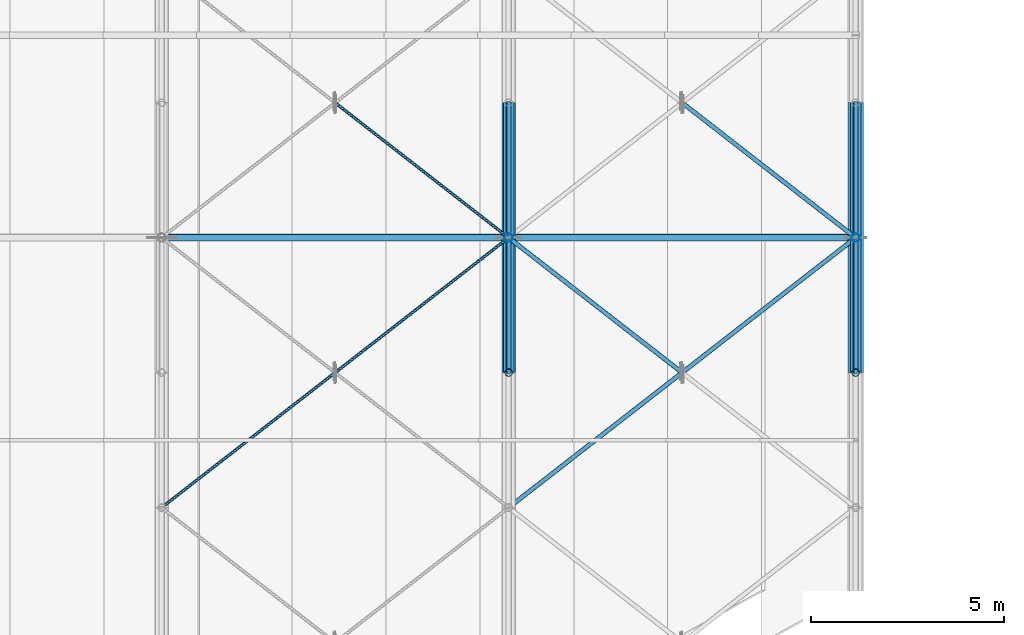
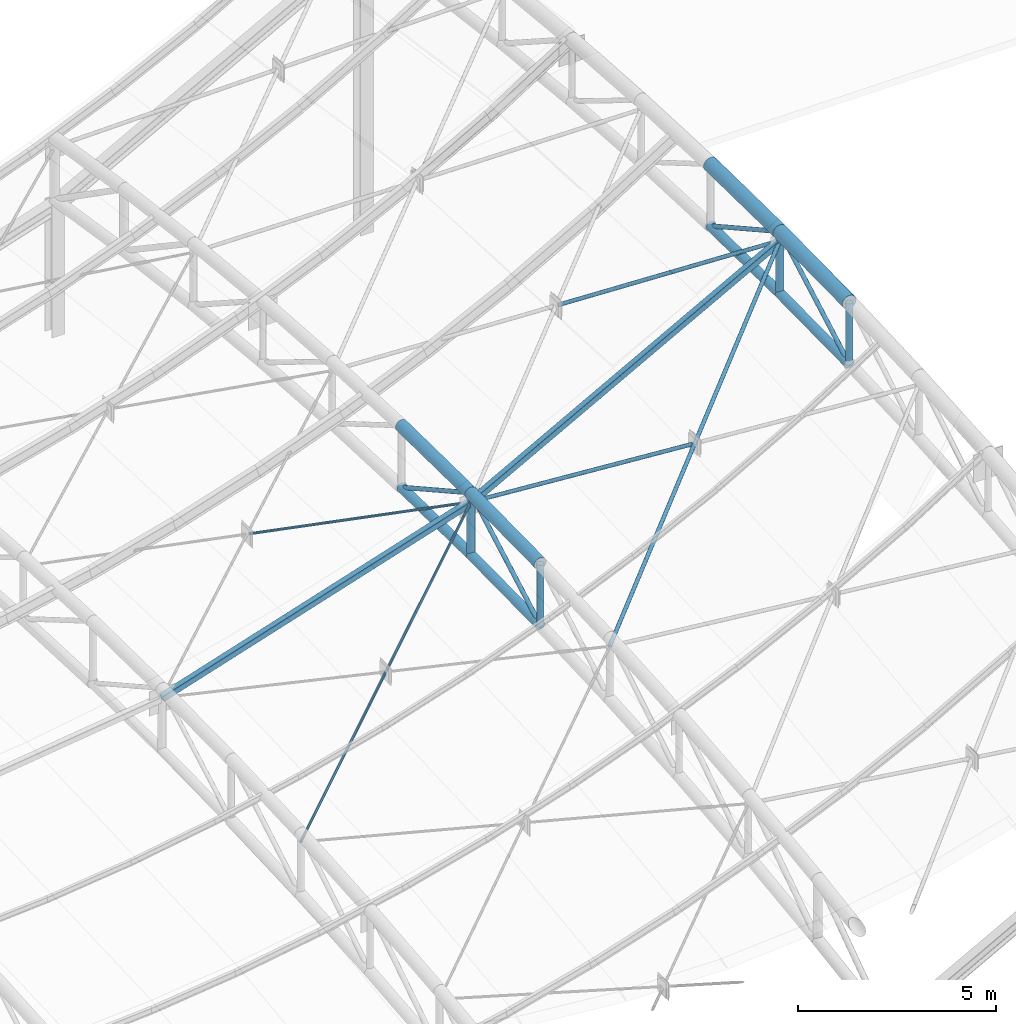
# One storey, part 35 of 262: 23 members.
"""IFC4 building model written with IfcOpenShell, lengths in metres."""

import ifcopenshell
import ifcopenshell.guid

model = None  # the IFC model being written
_history = None  # IfcOwnerHistory: only IFC2X3 demands one
_inside = {}  # id of a spatial element -> (the spatial element, [elements in it])
_under = {}  # id of a project, library or spatial element -> (it, [spatial elements below it])
_declared = {}  # id of a project -> (the project, [libraries it declares])
_typed = {}  # id of a type object -> (the type object, [elements of that type])
_made_of = {}  # id of a material, layer set ... -> (it, [elements and type objects made of it])


def new_model(schema):
    """Start an empty IFC model of exactly this schema.

    Asked for "IFC4X3", IfcOpenShell would pick the latest addendum, in which some entities
    have other attributes; the version numbers below select the first issue.
    IFC2X3 requires an IfcOwnerHistory on every rooted entity: one is made here for all.
    """
    global model, _history
    if schema == "IFC4X3":
        model = ifcopenshell.file(schema_version=(4, 3, 0, 0))
    else:
        model = ifcopenshell.file(schema=schema)
    _inside.clear()
    _under.clear()
    _declared.clear()
    _typed.clear()
    _made_of.clear()
    _history = None
    if model.schema == "IFC2X3":
        org = make("IfcOrganization", Name="unknown")
        user = make(
            "IfcPersonAndOrganization",
            ThePerson=make("IfcPerson", FamilyName="unknown"),
            TheOrganization=org,
        )
        app = make(
            "IfcApplication",
            ApplicationDeveloper=org,
            Version="unknown",
            ApplicationFullName="unknown",
            ApplicationIdentifier="unknown",
        )
        _history = make(
            "IfcOwnerHistory",
            OwningUser=user,
            OwningApplication=app,
            ChangeAction="ADDED",
            CreationDate=0,
        )
    return model


def make(cls, **values):
    """One entity of the class cls with the attributes given. An attribute that is None is left unset."""
    return model.create_entity(
        cls, **{name: value for name, value in values.items() if value is not None}
    )


def rooted(cls, **values):
    """An entity with a GlobalId (a new one), such as an element, a storey or a relation."""
    return make(cls, GlobalId=ifcopenshell.guid.new(), OwnerHistory=_history, **values)


def si_unit(unit_type, name, prefix=None):
    """IfcSIUnit, for example si_unit("LENGTHUNIT", "METRE", prefix="MILLI")."""
    return make("IfcSIUnit", UnitType=unit_type, Prefix=prefix, Name=name)


def derived_unit(unit_type, elements):
    """IfcDerivedUnit: a product of units, each with its exponent."""
    return make(
        "IfcDerivedUnit",
        Elements=[
            make("IfcDerivedUnitElement", Unit=unit, Exponent=power)
            for unit, power in elements
        ],
        UnitType=unit_type,
    )


def assignment(units):
    """IfcUnitAssignment: the units of a project."""
    return None if units is None else make("IfcUnitAssignment", Units=units)


def point(xyz):
    """IfcCartesianPoint."""
    return None if xyz is None else make("IfcCartesianPoint", Coordinates=xyz)


def direction(xyz):
    """IfcDirection."""
    return None if xyz is None else make("IfcDirection", DirectionRatios=xyz)


def frame(location, z_axis=None, x_axis=None):
    """IfcAxis2Placement3D, a coordinate frame: its origin and axes. An axis left out is left unset."""
    return make(
        "IfcAxis2Placement3D",
        Location=point(location),
        Axis=direction(z_axis),
        RefDirection=direction(x_axis),
    )


def frame_2d(location, x_axis=None):
    """IfcAxis2Placement2D, a coordinate frame in the plane: its origin and x axis."""
    return make(
        "IfcAxis2Placement2D", Location=point(location), RefDirection=direction(x_axis)
    )


def origin():
    """The frame at (0, 0, 0) with its axes left unset."""
    return frame((0.0, 0.0, 0.0))


def origin_2d():
    """The frame at (0, 0) in the plane with its x axis left unset."""
    return frame_2d((0.0, 0.0))


def place(relative_to, where):
    """IfcLocalPlacement: puts the frame where relative to a parent placement (None: the world)."""
    return make(
        "IfcLocalPlacement", PlacementRelTo=relative_to, RelativePlacement=where
    )


def context(
    kind, dimensions, precision=None, world=None, true_north=None, identifier=None
):
    """IfcGeometricRepresentationContext, for example the 3D "Model" context."""
    return make(
        "IfcGeometricRepresentationContext",
        ContextIdentifier=identifier,
        ContextType=kind,
        CoordinateSpaceDimension=dimensions,
        Precision=precision,
        WorldCoordinateSystem=world,
        TrueNorth=true_north,
    )


def subcontext(parent, identifier, kind, view, scale=None):
    """IfcGeometricRepresentationSubContext, for example "Body" below "Model"."""
    return make(
        "IfcGeometricRepresentationSubContext",
        ContextIdentifier=identifier,
        ContextType=kind,
        ParentContext=parent,
        TargetScale=scale,
        TargetView=view,
    )


def project(units=None, contexts=None):
    """IfcProject with its units and contexts."""
    return rooted(
        "IfcProject",
        Name="project",
        RepresentationContexts=contexts,
        UnitsInContext=assignment(units),
    )


def spatial(cls, under=None, at=None, **own):
    """A site, building, storey or space (cls), placed at a placement, below another one or the project."""
    s = rooted(cls, ObjectPlacement=at, **own)
    if under is not None:
        _under.setdefault(under.id(), (under, []))[1].append(s)
    return s


def profile(cls, at=None, kind="AREA", **sizes):
    """A parametric profile (cls). Its sizes go by their IFC names, for example OverallWidth=200.0."""
    return make(cls, ProfileType=kind, Position=at, **sizes)


def hollow_rectangle(**sizes):
    """IfcRectangleHollowProfileDef."""
    return profile("IfcRectangleHollowProfileDef", **sizes)


def hollow_circle(**sizes):
    """IfcCircleHollowProfileDef."""
    return profile("IfcCircleHollowProfileDef", **sizes)


def extrude(swept, where, along, depth):
    """IfcExtrudedAreaSolid: the profile swept, set in the frame where, extruded along a direction by depth."""
    return make(
        "IfcExtrudedAreaSolid",
        SweptArea=swept,
        Position=where,
        ExtrudedDirection=direction(along),
        Depth=depth,
    )


def shape(context_of_items, identifier, shape_type, items):
    """IfcShapeRepresentation: the items that make up one representation, for example the "Body"."""
    return make(
        "IfcShapeRepresentation",
        ContextOfItems=context_of_items,
        RepresentationIdentifier=identifier,
        RepresentationType=shape_type,
        Items=items,
    )


def material(Name=None, Category=None):
    """IfcMaterial."""
    return make("IfcMaterial", Name=Name, Category=Category)


def material_profile(
    of_material, cross_section, Name=None, Category=None, Priority=None
):
    """IfcMaterialProfile: a cross section and its material."""
    return make(
        "IfcMaterialProfile",
        Name=Name,
        Material=of_material,
        Profile=cross_section,
        Priority=Priority,
        Category=Category,
    )


def profile_set(profiles, Name=None, composite=None):
    """IfcMaterialProfileSet."""
    return make(
        "IfcMaterialProfileSet",
        Name=Name,
        MaterialProfiles=profiles,
        CompositeProfile=composite,
    )


def made_of(thing, what):
    """Note that an element or type object is made of a material, layer set ...; save() writes the relation."""
    if what is not None:
        _made_of.setdefault(what.id(), (what, []))[1].append(thing)
    return thing


def type_object(cls, material=None, **own):
    """A type object (cls), such as IfcWallType, which elements share."""
    return made_of(rooted(cls, **own), material)


def element(
    cls,
    number,
    at=None,
    inside=None,
    cuts=None,
    type_object=None,
    material=None,
    context=None,
    identifier="Body",
    shape_type=None,
    held_by="IfcProductDefinitionShape",
    body=None,
    shapes=None,
    **own,
):
    """One element of the class cls, such as IfcWall. Its Tag is "e" and its number.

    at: its placement. inside: the storey or other place that contains it. cuts: it is an
    opening in that element (IfcRelVoidsElement). A single representation is given by context,
    identifier, shape_type and body (its items); several are given by shapes. held_by: the class
    of the entity that holds the representations. save() writes the other relations.
    """
    e = rooted(cls, Tag="e%d" % number, ObjectPlacement=at, **own)
    if body is not None:
        shapes = [shape(context, identifier, shape_type, body)]
    if shapes is not None:
        e.Representation = make(held_by, Representations=shapes)
    if inside is not None:
        _inside.setdefault(inside.id(), (inside, []))[1].append(e)
    if cuts is not None:
        rooted(
            "IfcRelVoidsElement", RelatingBuildingElement=cuts, RelatedOpeningElement=e
        )
    if type_object is not None:
        _typed.setdefault(type_object.id(), (type_object, []))[1].append(e)
    return made_of(e, material)


def aggregate(whole, parts):
    """IfcRelAggregates: a whole, such as a stair, and the parts it consists of."""
    return rooted("IfcRelAggregates", RelatingObject=whole, RelatedObjects=parts)


def save(model, path):
    """Write the relations noted so far, then the file.

    IfcRelAggregates (storeys below a building ...), IfcRelContainedInSpatialStructure (elements
    in a storey), IfcRelDefinesByType, IfcRelAssociatesMaterial and IfcRelDeclares: one each for
    every whole, place, type object, material and project.
    """
    for whole, parts in _under.values():
        aggregate(whole, parts)
    for where, things in _inside.values():
        rooted(
            "IfcRelContainedInSpatialStructure",
            RelatedElements=things,
            RelatingStructure=where,
        )
    for kind, things in _typed.values():
        rooted("IfcRelDefinesByType", RelatedObjects=things, RelatingType=kind)
    for what, things in _made_of.values():
        rooted("IfcRelAssociatesMaterial", RelatedObjects=things, RelatingMaterial=what)
    for by, libraries in _declared.values():
        rooted("IfcRelDeclares", RelatingContext=by, RelatedDefinitions=libraries)
    model.write(path)


model = new_model("IFC4")

# Units and contexts
model_context = context("Model", 3, precision=1e-05, world=origin(), true_north=direction((0.0, 1.0)))
body_context = subcontext(model_context, "Body", "Model", "MODEL_VIEW")
ifc_project = project(units=[si_unit("LENGTHUNIT", "METRE"), si_unit("AREAUNIT", "SQUARE_METRE"), si_unit("VOLUMEUNIT", "CUBIC_METRE"), si_unit("PLANEANGLEUNIT", "RADIAN"), si_unit("MASSUNIT", "GRAM", prefix="KILO"), derived_unit("THERMALTRANSMITTANCEUNIT", [(si_unit("POWERUNIT", "WATT"), 1), (si_unit("LENGTHUNIT", "METRE"), -2), (si_unit("THERMODYNAMICTEMPERATUREUNIT", "KELVIN"), -1)])], contexts=[model_context])

# Site, building, storey
site_placement = place(None, origin())
site = spatial("IfcSite", under=ifc_project, at=site_placement, CompositionType="ELEMENT")
building_placement = place(site_placement, origin())
building = spatial("IfcBuilding", under=site, at=building_placement, Name="Almenara Railside Exhibition Hall", CompositionType="ELEMENT")
storey_placement = place(building_placement, frame((0.0, 0.0, 21.699951171875)))
storey = spatial("IfcBuildingStorey", under=building, at=storey_placement, Name="RF", CompositionType="ELEMENT", Elevation=21.699951171875)

# Members
ifc_material = material(Name="Structural steel S355JR", Category="steel")
ifc_material_profile_1 = material_profile(ifc_material, hollow_circle(Radius=0.0380859375, WallThickness=0.003662109375, at=origin_2d()), Name="CHS 76.1x3.6")
ifc_profile_set_1 = profile_set([ifc_material_profile_1], Name="Structural steel S355JR")
member_type_1 = type_object("IfcMemberType", Name="Lantern Cross-Tie Brace CHS 76.1x3.6 S355JR", PredefinedType="BRACE", material=ifc_profile_set_1)
member_1_placement = place(storey_placement, frame((48.0, 14.0, -5.550537109375), z_axis=(0.762180219972, 0.592806837756, 0.260117983601), x_axis=(-0.613940613515, 0.789352217376, 0.0)))
element("IfcMember", 1, at=member_1_placement, inside=storey, type_object=member_type_1, Name="MEM-WB-V4-WB-CHS76-05-04-C", PredefinedType="BRACE", context=body_context, shape_type="SweptSolid", body=[
    extrude(hollow_circle(Radius=0.0380859375, WallThickness=0.003662109375, at=origin_2d()), origin(), (0.0, 0.0, 1.0), 11.808349609375),
])
member_2_placement = place(storey_placement, frame((52.531982421875, 24.47509765625, -4.00390625), z_axis=(0.762180594374, -0.59280250152, 0.260126768617), x_axis=(0.613937627465, 0.789354539851, 0.0)))
element("IfcMember", 2, at=member_2_placement, inside=storey, type_object=member_type_1, Name="MEM-WB-V4-WB-CHS76-05-06-S2", PredefinedType="BRACE", context=body_context, shape_type="SweptSolid", body=[
    extrude(hollow_circle(Radius=0.0380859375, WallThickness=0.003662109375, at=origin_2d()), origin(), (0.0, 0.0, 1.0), 5.862060546875),
])
ifc_material_profile_2 = material_profile(ifc_material, hollow_circle(Radius=0.136474609375, WallThickness=0.010009765625, at=origin_2d()), Name="CHS 273x10")
ifc_profile_set_2 = profile_set([ifc_material_profile_2], Name="Structural steel S355JR")
member_type_2 = type_object("IfcMemberType", Name="Plenary Crown Bottom Chord CHS 273x10 S355JR", PredefinedType="CHORD", material=ifc_profile_set_2)
for number, where, z_axis, x_axis, name in (
    (3, (57.0, 17.5, -4.149169921875), (0.0, 0.999897775465, 0.014298203402), (-1.0, 0.0, 0.0), "MEM-BC-V4-06-05"),
    (4, (57.0, 21.0, -4.09912109375), (0.0, 0.999897775465, -0.014298203402), (-1.0, 0.0, 0.0), "MEM-BC-V4-06-06"),
    (5, (66.0, 17.5, 0.75), (0.0, 0.999897775465, 0.014298203402), (-1.0, 0.0, 0.0), "MEM-BC-V4-07-05"),
    (6, (66.0, 21.0, 0.800048828125), (0.0, 0.999897775465, -0.014298203402), (-1.0, 0.0, 0.0), "MEM-BC-V4-07-06"),
):
    element("IfcMember", number, at=place(storey_placement, frame(where, z_axis=z_axis, x_axis=x_axis)), inside=storey, type_object=member_type_2, Name=name, PredefinedType="CHORD", context=body_context, shape_type="SweptSolid", body=[
        extrude(hollow_circle(Radius=0.136474609375, WallThickness=0.010009765625, at=origin_2d()), origin(), (0.0, 0.0, 1.0), 3.500244140625),
    ])
ifc_material_profile_3 = material_profile(ifc_material, hollow_rectangle(XDim=0.179931640625, YDim=0.179931640625, WallThickness=0.008056640625, InnerFilletRadius=0.008056640625, OuterFilletRadius=0.01611328125, at=origin_2d()), Name="SHS 180x180x8")
ifc_profile_set_3 = profile_set([ifc_material_profile_3], Name="Structural steel S355JR")
member_type_3 = type_object("IfcMemberType", Name="Plenary Eaves Strut SHS 180x180x8 S355JR", PredefinedType="BRACE", material=ifc_profile_set_3)
member_3_placement = place(storey_placement, frame((48.0, 21.0, -5.3505859375), z_axis=(0.952682460911, 0.0, 0.303967315138), x_axis=(0.0, 1.0, 0.0)))
element("IfcMember", 7, at=member_3_placement, inside=storey, type_object=member_type_3, Name="MEM-ES-V4-05", PredefinedType="BRACE", context=body_context, shape_type="SweptSolid", body=[
    extrude(hollow_rectangle(XDim=0.179931640625, YDim=0.179931640625, WallThickness=0.008056640625, InnerFilletRadius=0.008056640625, OuterFilletRadius=0.01611328125, at=origin_2d()), origin(), (0.0, 0.0, 1.0), 9.447021484375),
])
member_4_placement = place(storey_placement, frame((57.0, 21.0, -2.47900390625), z_axis=(0.878302261666, 0.0, 0.478105780296), x_axis=(0.0, 1.0, 0.0)))
element("IfcMember", 8, at=member_4_placement, inside=storey, type_object=member_type_3, Name="MEM-ES-V4-06", PredefinedType="BRACE", context=body_context, shape_type="SweptSolid", body=[
    extrude(hollow_rectangle(XDim=0.179931640625, YDim=0.179931640625, WallThickness=0.008056640625, InnerFilletRadius=0.008056640625, OuterFilletRadius=0.01611328125, at=origin_2d()), origin(), (0.0, 0.0, 1.0), 10.2470703125),
])
ifc_material_profile_4 = material_profile(ifc_material, hollow_circle(Radius=0.203125, WallThickness=0.012451171875, at=origin_2d()), Name="CHS 406.4x12.5")
ifc_profile_set_4 = profile_set([ifc_material_profile_4], Name="Structural steel S355JR")
member_type_4 = type_object("IfcMemberType", Name="Plenary Gable Top Chord CHS 406.4x12.5 S355JR", PredefinedType="CHORD", material=ifc_profile_set_4)
for number, where, z_axis, x_axis, name in (
    (9, (66.0, 17.5, 2.650146484375), (0.0, 0.999898770194, 0.014228470223), (-1.0, 0.0, 0.0), "MEM-TC-V4-07-05"),
    (10, (66.0, 21.0, 2.699951171875), (0.0, 0.999898770194, -0.014228470223), (-1.0, 0.0, 0.0), "MEM-TC-V4-07-06"),
):
    element("IfcMember", number, at=place(storey_placement, frame(where, z_axis=z_axis, x_axis=x_axis)), inside=storey, type_object=member_type_4, Name=name, PredefinedType="CHORD", context=body_context, shape_type="SweptSolid", body=[
        extrude(hollow_circle(Radius=0.203125, WallThickness=0.012451171875, at=origin_2d()), origin(), (0.0, 0.0, 1.0), 3.500244140625),
    ])
ifc_material_profile_5 = material_profile(ifc_material, hollow_circle(Radius=0.177734375, WallThickness=0.012451171875, at=origin_2d()), Name="CHS 355.6x12.5")
ifc_profile_set_5 = profile_set([ifc_material_profile_5], Name="Structural steel S355JR")
member_type_5 = type_object("IfcMemberType", Name="Plenary Truss Top Chord CHS 355.6x12.5 S355JR", PredefinedType="CHORD", material=ifc_profile_set_5)
for number, where, z_axis, x_axis, name in (
    (11, (57.0, 17.5, -2.2490234375), (0.0, 0.999897775465, 0.014298203402), (-1.0, 0.0, 0.0), "MEM-TC-V4-06-05"),
    (12, (57.0, 21.0, -2.198974609375), (0.0, 0.999897775465, -0.014298203402), (-1.0, 0.0, 0.0), "MEM-TC-V4-06-06"),
):
    element("IfcMember", number, at=place(storey_placement, frame(where, z_axis=z_axis, x_axis=x_axis)), inside=storey, type_object=member_type_5, Name=name, PredefinedType="CHORD", context=body_context, shape_type="SweptSolid", body=[
        extrude(hollow_circle(Radius=0.177734375, WallThickness=0.012451171875, at=origin_2d()), origin(), (0.0, 0.0, 1.0), 3.500244140625),
    ])
ifc_material_profile_6 = material_profile(ifc_material, hollow_circle(Radius=0.05712890625, WallThickness=0.00439453125, at=origin_2d()), Name="CHS 114.3x4.5")
ifc_profile_set_6 = profile_set([ifc_material_profile_6], Name="Structural steel S355JR")
member_type_6 = type_object("IfcMemberType", Name="Roof Wind Plan X-Brace CHS 114.3x4.5 S355JR", PredefinedType="BRACE", material=ifc_profile_set_6)
member_5_placement = place(storey_placement, frame((57.0, 14.0, -2.678955078125), z_axis=(0.720574299615, 0.560446677479, 0.408255067865), x_axis=(-0.613940613515, 0.789352217376, 0.0)))
element("IfcMember", 13, at=member_5_placement, inside=storey, type_object=member_type_6, Name="MEM-WB-V4-WB-CHS114-06-04-C", PredefinedType="BRACE", context=body_context, shape_type="SweptSolid", body=[
    extrude(hollow_circle(Radius=0.05712890625, WallThickness=0.00439453125, at=origin_2d()), origin(), (0.0, 0.0, 1.0), 12.489990234375),
])
member_6_placement = place(storey_placement, frame((57.0, 21.0, -2.47900390625), z_axis=(0.729797465347, -0.56763358119, 0.381035138902), x_axis=(0.613949597032, 0.789345230114, 0.0)))
element("IfcMember", 14, at=member_6_placement, inside=storey, type_object=member_type_6, Name="MEM-WB-V4-WB-CHS114-06-04-S1", PredefinedType="BRACE", context=body_context, shape_type="SweptSolid", body=[
    extrude(hollow_circle(Radius=0.05712890625, WallThickness=0.00439453125, at=origin_2d()), origin(), (0.0, 0.0, 1.0), 6.10498046875),
])
member_7_placement = place(storey_placement, frame((61.544189453125, 24.4658203125, -0.1044921875), z_axis=(0.720555522443, -0.560462779936, 0.408266103643), x_axis=(0.613961572387, 0.789335915585, 0.0)))
element("IfcMember", 15, at=member_7_placement, inside=storey, type_object=member_type_6, Name="MEM-WB-V4-WB-CHS114-06-06-S2", PredefinedType="BRACE", context=body_context, shape_type="SweptSolid", body=[
    extrude(hollow_circle(Radius=0.05712890625, WallThickness=0.00439453125, at=origin_2d()), origin(), (0.0, 0.0, 1.0), 6.183837890625),
])
ifc_material_profile_7 = material_profile(ifc_material, hollow_circle(Radius=0.0634765625, WallThickness=0.00439453125, at=origin_2d()), Name="CHS 127.0x4.5")
ifc_profile_set_7 = profile_set([ifc_material_profile_7], Name="Structural steel S355JR")
member_type_7 = type_object("IfcMemberType", Name="Truss Crown Diagonal CHS 127.0x4.5 S355JR", PredefinedType="BRACE", material=ifc_profile_set_7)
for number, where, z_axis, x_axis, name in (
    (16, (57.0, 17.5, -4.149169921875), (0.0, 0.873547249832, 0.486739357677), (-1.0, 0.0, 0.0), "MEM-TD-V4-06-05"),
    (17, (57.0, 21.0, -2.198974609375), (0.0, 0.873547249832, -0.486739357677), (-1.0, 0.0, 0.0), "MEM-TD-V4-06-06"),
    (18, (66.0, 17.5, 0.75), (0.0, 0.873573157803, 0.486692857936), (-1.0, 0.0, 0.0), "MEM-TD-V4-07-05"),
    (19, (66.0, 21.0, 2.699951171875), (0.0, 0.873573157803, -0.486692857936), (-1.0, 0.0, 0.0), "MEM-TD-V4-07-06"),
):
    element("IfcMember", number, at=place(storey_placement, frame(where, z_axis=z_axis, x_axis=x_axis)), inside=storey, type_object=member_type_7, Name=name, PredefinedType="BRACE", context=body_context, shape_type="SweptSolid", body=[
        extrude(hollow_circle(Radius=0.0634765625, WallThickness=0.00439453125, at=origin_2d()), origin(), (0.0, 0.0, 1.0), 4.006591796875),
    ])
ifc_material_profile_8 = material_profile(ifc_material, hollow_circle(Radius=0.109619140625, WallThickness=0.008056640625, at=origin_2d()), Name="CHS 219.1x8")
ifc_profile_set_8 = profile_set([ifc_material_profile_8], Name="Structural steel S355JR")
member_type_8 = type_object("IfcMemberType", Name="Truss Primary Vertical Strut CHS 219.1x8 S355JR", PredefinedType="BRACE", material=ifc_profile_set_8)
member_8_placement = place(storey_placement, frame((57.0, 21.0, -4.09912109375), z_axis=(0.0, 0.0, 1.0), x_axis=(1.0, 0.0, 0.0)))
element("IfcMember", 20, at=member_8_placement, inside=storey, type_object=member_type_8, Name="MEM-TV-V4-06-06", PredefinedType="BRACE", context=body_context, shape_type="SweptSolid", body=[
    extrude(hollow_circle(Radius=0.109619140625, WallThickness=0.008056640625, at=origin_2d()), origin(), (0.0, 0.0, 1.0), 1.900146484375),
])
member_9_placement = place(storey_placement, frame((66.0, 21.0, 0.800048828125), z_axis=(0.0, 0.0, 1.0), x_axis=(1.0, 0.0, 0.0)))
element("IfcMember", 21, at=member_9_placement, inside=storey, type_object=member_type_8, Name="MEM-TV-V4-07-06", PredefinedType="BRACE", context=body_context, shape_type="SweptSolid", body=[
    extrude(hollow_circle(Radius=0.109619140625, WallThickness=0.008056640625, at=origin_2d()), origin(), (0.0, 0.0, 1.0), 1.89990234375),
])
ifc_material_profile_9 = material_profile(ifc_material, hollow_circle(Radius=0.096923828125, WallThickness=0.00634765625, at=origin_2d()), Name="CHS 193.7x6.3")
ifc_profile_set_9 = profile_set([ifc_material_profile_9], Name="Structural steel S355JR")
member_type_9 = type_object("IfcMemberType", Name="Truss Standard Vertical Strut CHS 193.7x6.3 S355JR", PredefinedType="BRACE", material=ifc_profile_set_9)
for number, where, z_axis, x_axis, name in (
    (22, (57.0, 17.5, -4.149169921875), (0.0, 0.0, 1.0), (1.0, 0.0, 0.0), "MEM-TV-V4-06-05"),
    (23, (66.0, 17.5, 0.75), (0.0, 0.0, 1.0), (1.0, 0.0, 0.0), "MEM-TV-V4-07-05"),
):
    element("IfcMember", number, at=place(storey_placement, frame(where, z_axis=z_axis, x_axis=x_axis)), inside=storey, type_object=member_type_9, Name=name, PredefinedType="BRACE", context=body_context, shape_type="SweptSolid", body=[
        extrude(hollow_circle(Radius=0.096923828125, WallThickness=0.00634765625, at=origin_2d()), origin(), (0.0, 0.0, 1.0), 1.900146484375),
    ])

save(model, "model.ifc")
